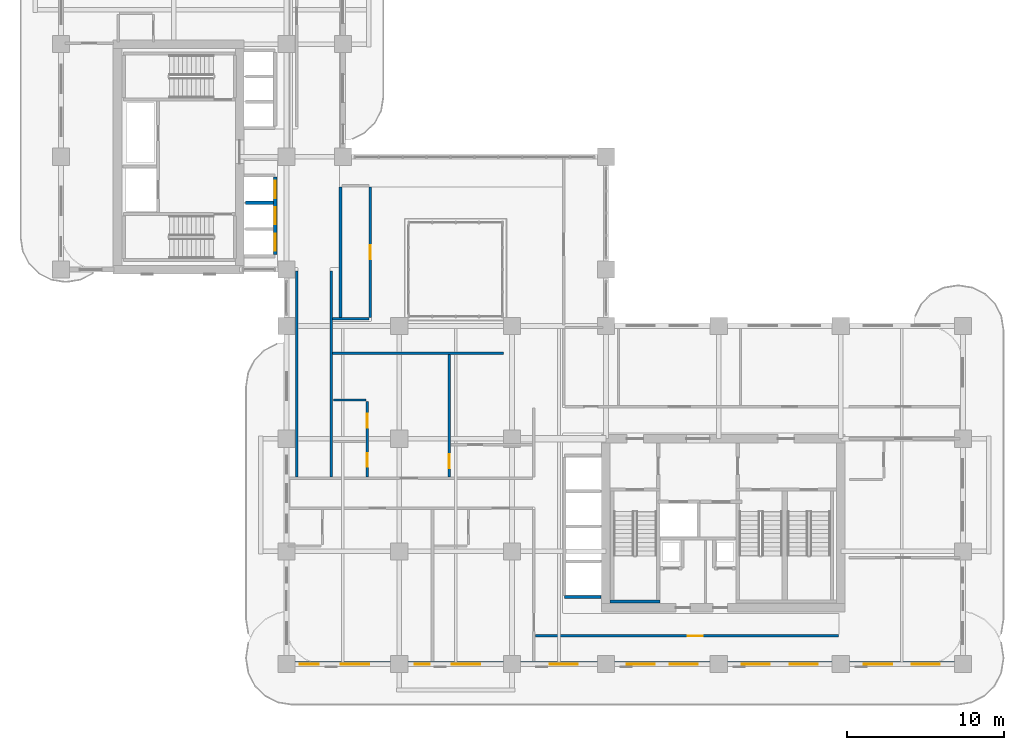
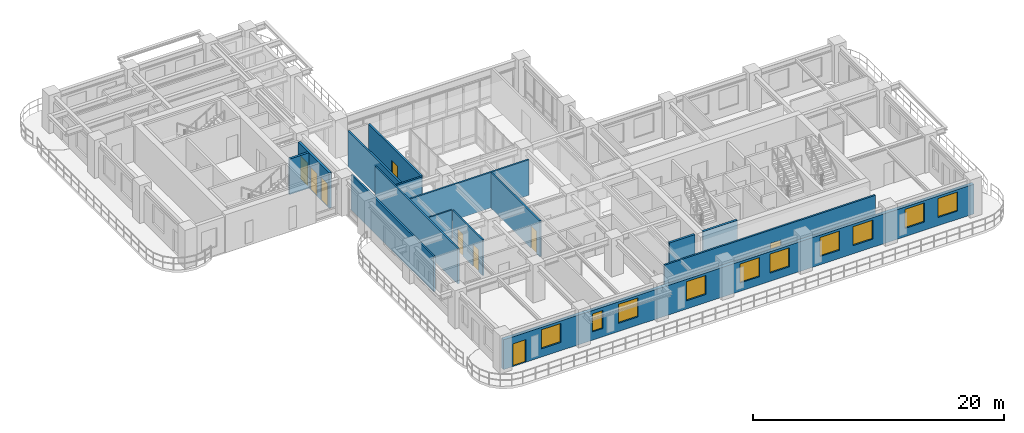
# One storey, part 13 of 22: 15 walls, 10 windows, 9 doors, 19 openings.
"""IFC4 building model written with IfcOpenShell, lengths in metres."""

from ifc_helpers import new_model, si_unit, derived_unit, direction, frame, frame_2d, origin, place, context, subcontext, project, spatial, rectangle, extrude, source, transform, mapped, material, layer, layer_set, type_object, type_shapes, element, fill, save


model = new_model("IFC4")

# Units and contexts
model_context = context("Model", 3, precision=1e-05, world=origin(), true_north=direction((0.0, 1.0)))
body_context = subcontext(model_context, "Body", "Model", "MODEL_VIEW")
ifc_project = project(units=[si_unit("LENGTHUNIT", "METRE"), si_unit("AREAUNIT", "SQUARE_METRE"), si_unit("VOLUMEUNIT", "CUBIC_METRE"), si_unit("PLANEANGLEUNIT", "RADIAN"), si_unit("MASSUNIT", "GRAM", prefix="KILO"), si_unit("THERMODYNAMICTEMPERATUREUNIT", "KELVIN"), si_unit("POWERUNIT", "WATT"), derived_unit("THERMALTRANSMITTANCEUNIT", [(si_unit("POWERUNIT", "WATT"), 1), (si_unit("AREAUNIT", "SQUARE_METRE"), -1), (si_unit("THERMODYNAMICTEMPERATUREUNIT", "KELVIN"), -1)])], contexts=[model_context])

# Site, building, storey
site_placement = place(None, origin())
site = spatial("IfcSite", under=ifc_project, at=site_placement, CompositionType="ELEMENT")
building_placement = place(site_placement, origin())
building = spatial("IfcBuilding", under=site, at=building_placement, Name="Zahravan Archway Hotel and Residences", CompositionType="ELEMENT")
storey_placement = place(building_placement, frame((0.0, 0.0, 84.199951171875)))
storey = spatial("IfcBuildingStorey", under=building, at=storey_placement, Name="L20", CompositionType="ELEMENT", Elevation=84.199951171875)

# Wall, openings, door, windows
ifc_material_1 = material(Name="Agra Buff Sandstone & Insulated Backup", Category="masonry")
ifc_layer_1 = layer(ifc_material_1, 0.320068359375, Name="Agra Buff Sandstone & Insulated Backup", Category="masonry")
ifc_layer_set_1 = layer_set([ifc_layer_1], Name="Agra Buff Sandstone & Insulated Backup")
wall_type_1 = type_object("IfcWallType", Name="EW-SAND-320", PredefinedType="SOLIDWALL", material=ifc_layer_set_1)
wall_1_placement = place(storey_placement, frame((14.39990234375, 0.0, 0.0), z_axis=(0.0, 0.0, 1.0), x_axis=(1.0, 0.0, 0.0)))
wall_1 = element("IfcWall", 1, at=wall_1_placement, inside=storey, type_object=wall_type_1, Name="L20 Exterior Sandstone Wall WA-S", PredefinedType="SOLIDWALL", context=body_context, shape_type="SweptSolid", body=[
    extrude(rectangle(XDim=43.2001953125, YDim=0.320068359375, at=frame_2d((21.60009765625, 0.0))), origin(), (0.0, 0.0, 1.0), 2.885009765625),
])
opening_1_placement = place(wall_1_placement, frame((0.85009765625, 0.0, 0.0)))
opening_1 = element("IfcOpeningElement", 2, at=opening_1_placement, cuts=wall_1, Name="Opening ED-BL1", PredefinedType="OPENING", context=body_context, shape_type="SweptSolid", body=[
    extrude(rectangle(XDim=1.199951171875, YDim=2.199951171875, at=frame_2d((0.60009765625, 1.10009765625))), frame((0.0, 0.169921875, 0.0), z_axis=(0.0, -1.0, 0.0), x_axis=(1.0, 0.0, 0.0)), (0.0, 0.0, 1.0), 0.340087890625),
])
opening_2_placement = place(wall_1_placement, frame((3.47509765625, 0.0, 0.800048828125)))
opening_2 = element("IfcOpeningElement", 3, at=opening_2_placement, cuts=wall_1, Name="Opening W-02", PredefinedType="OPENING", context=body_context, shape_type="SweptSolid", body=[
    extrude(rectangle(XDim=1.800048828125, YDim=1.85009765625, at=frame_2d((0.89990234375, 0.925048828125))), frame((0.0, 0.169921875, 0.0), z_axis=(0.0, -1.0, 0.0), x_axis=(1.0, 0.0, 0.0)), (0.0, 0.0, 1.0), 0.340087890625),
])
opening_3_placement = place(wall_1_placement, frame((8.180908203125, 0.0, 0.800048828125)))
opening_3 = element("IfcOpeningElement", 4, at=opening_3_placement, cuts=wall_1, Name="Opening W-04", PredefinedType="OPENING", context=body_context, shape_type="SweptSolid", body=[
    extrude(rectangle(XDim=0.949951171875, YDim=1.75, at=frame_2d((0.47509765625, 0.875))), frame((0.0, 0.169921875, 0.0), z_axis=(0.0, -1.0, 0.0), x_axis=(1.0, 0.0, 0.0)), (0.0, 0.0, 1.0), 0.340087890625),
])
opening_4_placement = place(wall_1_placement, frame((10.56396484375, 0.0, 0.800048828125)))
opening_4 = element("IfcOpeningElement", 5, at=opening_4_placement, cuts=wall_1, Name="Opening W-02", PredefinedType="OPENING", context=body_context, shape_type="SweptSolid", body=[
    extrude(rectangle(XDim=1.800048828125, YDim=1.85009765625, at=frame_2d((0.89990234375, 0.925048828125))), frame((0.0, 0.169921875, 0.0), z_axis=(0.0, -1.0, 0.0), x_axis=(1.0, 0.0, 0.0)), (0.0, 0.0, 1.0), 0.340087890625),
])
opening_5_placement = place(wall_1_placement, frame((16.803955078125, 0.0, 0.800048828125)))
opening_5 = element("IfcOpeningElement", 6, at=opening_5_placement, cuts=wall_1, Name="Opening W-02", PredefinedType="OPENING", context=body_context, shape_type="SweptSolid", body=[
    extrude(rectangle(XDim=1.800048828125, YDim=1.85009765625, at=frame_2d((0.89990234375, 0.925048828125))), frame((0.0, 0.169921875, 0.0), z_axis=(0.0, -1.0, 0.0), x_axis=(1.0, 0.0, 0.0)), (0.0, 0.0, 1.0), 0.340087890625),
])
opening_6_placement = place(wall_1_placement, frame((21.72509765625, 0.0, 0.800048828125)))
opening_6 = element("IfcOpeningElement", 7, at=opening_6_placement, cuts=wall_1, Name="Opening W-02", PredefinedType="OPENING", context=body_context, shape_type="SweptSolid", body=[
    extrude(rectangle(XDim=1.800048828125, YDim=1.85009765625, at=frame_2d((0.89990234375, 0.925048828125))), frame((0.0, 0.169921875, 0.0), z_axis=(0.0, -1.0, 0.0), x_axis=(1.0, 0.0, 0.0)), (0.0, 0.0, 1.0), 0.340087890625),
])
opening_7_placement = place(wall_1_placement, frame((24.47509765625, 0.0, 0.800048828125)))
opening_7 = element("IfcOpeningElement", 8, at=opening_7_placement, cuts=wall_1, Name="Opening W-02", PredefinedType="OPENING", context=body_context, shape_type="SweptSolid", body=[
    extrude(rectangle(XDim=1.800048828125, YDim=1.85009765625, at=frame_2d((0.89990234375, 0.925048828125))), frame((0.0, 0.169921875, 0.0), z_axis=(0.0, -1.0, 0.0), x_axis=(1.0, 0.0, 0.0)), (0.0, 0.0, 1.0), 0.340087890625),
])
opening_8_placement = place(wall_1_placement, frame((29.074951171875, 0.0, 0.800048828125)))
opening_8 = element("IfcOpeningElement", 9, at=opening_8_placement, cuts=wall_1, Name="Opening W-02", PredefinedType="OPENING", context=body_context, shape_type="SweptSolid", body=[
    extrude(rectangle(XDim=1.800048828125, YDim=1.85009765625, at=frame_2d((0.89990234375, 0.925048828125))), frame((0.0, 0.169921875, 0.0), z_axis=(0.0, -1.0, 0.0), x_axis=(1.0, 0.0, 0.0)), (0.0, 0.0, 1.0), 0.340087890625),
])
opening_9_placement = place(wall_1_placement, frame((32.125, 0.0, 0.800048828125)))
opening_9 = element("IfcOpeningElement", 10, at=opening_9_placement, cuts=wall_1, Name="Opening W-02", PredefinedType="OPENING", context=body_context, shape_type="SweptSolid", body=[
    extrude(rectangle(XDim=1.800048828125, YDim=1.85009765625, at=frame_2d((0.89990234375, 0.925048828125))), frame((0.0, 0.169921875, 0.0), z_axis=(0.0, -1.0, 0.0), x_axis=(1.0, 0.0, 0.0)), (0.0, 0.0, 1.0), 0.340087890625),
])
opening_10_placement = place(wall_1_placement, frame((36.875, 0.0, 0.800048828125)))
opening_10 = element("IfcOpeningElement", 11, at=opening_10_placement, cuts=wall_1, Name="Opening W-02", PredefinedType="OPENING", context=body_context, shape_type="SweptSolid", body=[
    extrude(rectangle(XDim=1.800048828125, YDim=1.85009765625, at=frame_2d((0.89990234375, 0.925048828125))), frame((0.0, 0.169921875, 0.0), z_axis=(0.0, -1.0, 0.0), x_axis=(1.0, 0.0, 0.0)), (0.0, 0.0, 1.0), 0.340087890625),
])
opening_11_placement = place(wall_1_placement, frame((39.925048828125, 0.0, 0.800048828125)))
opening_11 = element("IfcOpeningElement", 12, at=opening_11_placement, cuts=wall_1, Name="Opening W-02", PredefinedType="OPENING", context=body_context, shape_type="SweptSolid", body=[
    extrude(rectangle(XDim=1.800048828125, YDim=1.85009765625, at=frame_2d((0.89990234375, 0.925048828125))), frame((0.0, 0.169921875, 0.0), z_axis=(0.0, -1.0, 0.0), x_axis=(1.0, 0.0, 0.0)), (0.0, 0.0, 1.0), 0.340087890625),
])
ifc_material_2 = material(Name="Bronze-Anodized Glazed Aluminium", Category="aluminium")
door_type_1 = type_object("IfcDoorType", Name="ED-BALC-1200", OperationType="SLIDING_TO_LEFT", PredefinedType="DOOR", material=ifc_material_2)
shared_shape_1 = source(origin(), body_context, "Body", "SweptSolid", [
    extrude(rectangle(XDim=1.199951171875, YDim=2.199951171875, at=frame_2d((0.60009765625, 1.10009765625))), frame((0.0, 0.02490234375, 0.0), z_axis=(0.0, -1.0, 0.0), x_axis=(1.0, 0.0, 0.0)), (0.0, 0.0, 1.0), 0.050048828125),
])
type_shapes(door_type_1, [shared_shape_1])
door_1_placement = place(opening_1_placement, origin())
door_1 = element("IfcDoor", 13, at=door_1_placement, inside=storey, type_object=door_type_1, Name="L20 Outdoor Access Sliding Door (SLB-BAL-L20-SA)", OperationType="SLIDING_TO_LEFT", OverallHeight=2.199951171875, OverallWidth=1.199951171875, PredefinedType="DOOR", context=body_context, shape_type="MappedRepresentation", body=[
    mapped(shared_shape_1, transform((0.0, 0.0, 0.0), scale=1.0)),
])
fill(opening_1, door_1)
ifc_material_3 = material(Name="Bronze-Anodized Thermal-Break Aluminium & Low-E Glass", Category="aluminium")
window_type_1 = type_object("IfcWindowType", Name="WIN-NAR-950", PartitioningType="SINGLE_PANEL", PredefinedType="WINDOW", material=ifc_material_3)
shared_shape_2 = source(origin(), body_context, "Body", "SweptSolid", [
    extrude(rectangle(XDim=0.949951171875, YDim=1.75, at=frame_2d((0.47509765625, 0.875))), frame((0.0, 0.030029296875, 0.0), z_axis=(0.0, -1.0, 0.0), x_axis=(1.0, 0.0, 0.0)), (0.0, 0.0, 1.0), 0.06005859375),
])
type_shapes(window_type_1, [shared_shape_2])
window_1_placement = place(opening_3_placement, origin())
window_1 = element("IfcWindow", 14, at=window_1_placement, inside=storey, type_object=window_type_1, Name="L20 Loggia Window 02", OverallHeight=1.75, OverallWidth=0.949951171875, PartitioningType="SINGLE_PANEL", PredefinedType="WINDOW", context=body_context, shape_type="MappedRepresentation", body=[
    mapped(shared_shape_2, transform((0.0, 0.0, 0.0), scale=1.0)),
])
fill(opening_3, window_1)
window_type_2 = type_object("IfcWindowType", Name="WIN-TWR-1800", PartitioningType="DOUBLE_PANEL_VERTICAL", PredefinedType="WINDOW", material=ifc_material_3)
shared_shape_3 = source(origin(), body_context, "Body", "SweptSolid", [
    extrude(rectangle(XDim=1.800048828125, YDim=1.85009765625, at=frame_2d((0.89990234375, 0.925048828125))), frame((0.0, 0.030029296875, 0.0), z_axis=(0.0, -1.0, 0.0), x_axis=(1.0, 0.0, 0.0)), (0.0, 0.0, 1.0), 0.06005859375),
])
type_shapes(window_type_2, [shared_shape_3])
window_2_placement = place(opening_2_placement, origin())
window_2 = element("IfcWindow", 15, at=window_2_placement, inside=storey, type_object=window_type_2, Name="L20 Loggia Window 01", OverallHeight=1.85009765625, OverallWidth=1.800048828125, PartitioningType="DOUBLE_PANEL_VERTICAL", PredefinedType="WINDOW", context=body_context, shape_type="MappedRepresentation", body=[
    mapped(shared_shape_3, transform((0.0, 0.0, 0.0), scale=1.0)),
])
fill(opening_2, window_2)
window_3_placement = place(opening_4_placement, origin())
window_3 = element("IfcWindow", 16, at=window_3_placement, inside=storey, type_object=window_type_2, Name="L20 Loggia Window 03", OverallHeight=1.85009765625, OverallWidth=1.800048828125, PartitioningType="DOUBLE_PANEL_VERTICAL", PredefinedType="WINDOW", context=body_context, shape_type="MappedRepresentation", body=[
    mapped(shared_shape_3, transform((0.0, 0.0, 0.0), scale=1.0)),
])
fill(opening_4, window_3)
window_4_placement = place(opening_5_placement, origin())
window_4 = element("IfcWindow", 17, at=window_4_placement, inside=storey, type_object=window_type_2, Name="L20 Loggia Window 04", OverallHeight=1.85009765625, OverallWidth=1.800048828125, PartitioningType="DOUBLE_PANEL_VERTICAL", PredefinedType="WINDOW", context=body_context, shape_type="MappedRepresentation", body=[
    mapped(shared_shape_3, transform((0.0, 0.0, 0.0), scale=1.0)),
])
fill(opening_5, window_4)
window_5_placement = place(opening_6_placement, origin())
window_5 = element("IfcWindow", 18, at=window_5_placement, inside=storey, type_object=window_type_2, Name="L20 Loggia Window 05", OverallHeight=1.85009765625, OverallWidth=1.800048828125, PartitioningType="DOUBLE_PANEL_VERTICAL", PredefinedType="WINDOW", context=body_context, shape_type="MappedRepresentation", body=[
    mapped(shared_shape_3, transform((0.0, 0.0, 0.0), scale=1.0)),
])
fill(opening_6, window_5)
window_6_placement = place(opening_7_placement, origin())
window_6 = element("IfcWindow", 19, at=window_6_placement, inside=storey, type_object=window_type_2, Name="L20 Loggia Window 06", OverallHeight=1.85009765625, OverallWidth=1.800048828125, PartitioningType="DOUBLE_PANEL_VERTICAL", PredefinedType="WINDOW", context=body_context, shape_type="MappedRepresentation", body=[
    mapped(shared_shape_3, transform((0.0, 0.0, 0.0), scale=1.0)),
])
fill(opening_7, window_6)
window_7_placement = place(opening_8_placement, origin())
window_7 = element("IfcWindow", 20, at=window_7_placement, inside=storey, type_object=window_type_2, Name="L20 Loggia Window 07", OverallHeight=1.85009765625, OverallWidth=1.800048828125, PartitioningType="DOUBLE_PANEL_VERTICAL", PredefinedType="WINDOW", context=body_context, shape_type="MappedRepresentation", body=[
    mapped(shared_shape_3, transform((0.0, 0.0, 0.0), scale=1.0)),
])
fill(opening_8, window_7)
window_8_placement = place(opening_9_placement, origin())
window_8 = element("IfcWindow", 21, at=window_8_placement, inside=storey, type_object=window_type_2, Name="L20 Loggia Window 08", OverallHeight=1.85009765625, OverallWidth=1.800048828125, PartitioningType="DOUBLE_PANEL_VERTICAL", PredefinedType="WINDOW", context=body_context, shape_type="MappedRepresentation", body=[
    mapped(shared_shape_3, transform((0.0, 0.0, 0.0), scale=1.0)),
])
fill(opening_9, window_8)
window_9_placement = place(opening_10_placement, origin())
window_9 = element("IfcWindow", 22, at=window_9_placement, inside=storey, type_object=window_type_2, Name="L20 Loggia Window 09", OverallHeight=1.85009765625, OverallWidth=1.800048828125, PartitioningType="DOUBLE_PANEL_VERTICAL", PredefinedType="WINDOW", context=body_context, shape_type="MappedRepresentation", body=[
    mapped(shared_shape_3, transform((0.0, 0.0, 0.0), scale=1.0)),
])
fill(opening_10, window_9)
window_10_placement = place(opening_11_placement, origin())
window_10 = element("IfcWindow", 23, at=window_10_placement, inside=storey, type_object=window_type_2, Name="L20 Loggia Window 10", OverallHeight=1.85009765625, OverallWidth=1.800048828125, PartitioningType="DOUBLE_PANEL_VERTICAL", PredefinedType="WINDOW", context=body_context, shape_type="MappedRepresentation", body=[
    mapped(shared_shape_3, transform((0.0, 0.0, 0.0), scale=1.0)),
])
fill(opening_11, window_10)

# Wall, opening, door
ifc_material_4 = material(Name="Fire-Rated Gypsum & Concrete Block", Category="concrete")
ifc_layer_2 = layer(ifc_material_4, 0.159912109375, Name="Fire-Rated Gypsum & Concrete Block", Category="concrete")
ifc_layer_set_2 = layer_set([ifc_layer_2], Name="Fire-Rated Gypsum & Concrete Block")
wall_type_2 = type_object("IfcWallType", Name="PW-CORR-160", PredefinedType="PARTITIONING", material=ifc_layer_set_2)
wall_2_placement = place(storey_placement, frame((30.2900390625, 1.800048828125, 0.0), z_axis=(0.0, 0.0, 1.0), x_axis=(1.0, 0.0, 0.0)))
wall_2 = element("IfcWall", 24, at=wall_2_placement, inside=storey, type_object=wall_type_2, Name="L20 Partition WA-SRS", PredefinedType="PARTITIONING", context=body_context, shape_type="SweptSolid", body=[
    extrude(rectangle(XDim=19.369873046875, YDim=0.159912109375, at=frame_2d((9.68505859375, 0.0))), origin(), (0.0, 0.0, 1.0), 3.449951171875),
])
opening_12_placement = place(wall_2_placement, frame((9.735107421875, 0.0, 0.0)))
opening_12 = element("IfcOpeningElement", 25, at=opening_12_placement, cuts=wall_2, Name="Opening D-I1", PredefinedType="OPENING", context=body_context, shape_type="SweptSolid", body=[
    extrude(rectangle(XDim=0.949951171875, YDim=2.14990234375, at=frame_2d((0.47509765625, 1.074951171875))), frame((0.0, 0.08984375, 0.0), z_axis=(0.0, -1.0, 0.0), x_axis=(1.0, 0.0, 0.0)), (0.0, 0.0, 1.0), 0.179931640625),
])
ifc_material_5 = material(Name="Hardwood Veneer Timber", Category="wood")
door_type_2 = type_object("IfcDoorType", Name="ID-INT-950", OperationType="NOTDEFINED", PredefinedType="DOOR", material=ifc_material_5)
shared_shape_4 = source(origin(), body_context, "Body", "SweptSolid", [
    extrude(rectangle(XDim=0.949951171875, YDim=2.14990234375, at=frame_2d((0.47509765625, 1.074951171875))), frame((0.0, 0.02490234375, 0.0), z_axis=(0.0, -1.0, 0.0), x_axis=(1.0, 0.0, 0.0)), (0.0, 0.0, 1.0), 0.050048828125),
])
type_shapes(door_type_2, [shared_shape_4])
door_2_placement = place(opening_12_placement, origin())
door_2 = element("IfcDoor", 26, at=door_2_placement, inside=storey, type_object=door_type_2, Name="L20 South Viewing Lounge Door", OperationType="SINGLE_SWING_LEFT", OverallHeight=2.14990234375, OverallWidth=0.949951171875, PredefinedType="DOOR", context=body_context, shape_type="MappedRepresentation", body=[
    mapped(shared_shape_4, transform((0.0, 0.0, 0.0), scale=1.0)),
])
fill(opening_12, door_2)

# Walls
for number, where, z_axis, x_axis, name in (
    (27, (15.050048828125, 11.9599609375, 0.0), (0.0, 0.0, 1.0), (0.0, 1.0, 0.0), "L20 Partition LNK-W"),
    (28, (17.25, 11.9599609375, 0.0), (0.0, 0.0, 1.0), (0.0, 1.0, 0.0), "L20 Partition LNK-E"),
):
    element("IfcWall", number, at=place(storey_placement, frame(where, z_axis=z_axis, x_axis=x_axis)), inside=storey, type_object=wall_type_2, Name=name, PredefinedType="PARTITIONING", context=body_context, shape_type="SweptSolid", body=[
        extrude(rectangle(XDim=13.150146484375, YDim=0.159912109375, at=frame_2d((6.5751953125, 0.0))), origin(), (0.0, 0.0, 1.0), 3.449951171875),
    ])
wall_3_placement = place(storey_placement, frame((17.340087890625, 19.85009765625, 0.0), z_axis=(0.0, 0.0, 1.0), x_axis=(1.0, 0.0, 0.0)))
element("IfcWall", 29, at=wall_3_placement, inside=storey, type_object=wall_type_2, Name="L20 Partition ATR-S", PredefinedType="PARTITIONING", context=body_context, shape_type="SweptSolid", body=[
    extrude(rectangle(XDim=10.919921875, YDim=0.159912109375, at=frame_2d((5.4599609375, 0.0))), origin(), (0.0, 0.0, 1.0), 3.449951171875),
])
ifc_layer_3 = layer(ifc_material_4, 0.199951171875, Name="Fire-Rated Gypsum & Concrete Block", Category="concrete")
ifc_layer_set_3 = layer_set([ifc_layer_3], Name="Fire-Rated Gypsum & Concrete Block")
wall_type_3 = type_object("IfcWallType", Name="PW-SHAFT-200", PredefinedType="PARTITIONING", material=ifc_layer_set_3)
wall_4_placement = place(storey_placement, frame((32.159912109375, 4.280029296875, 0.0), z_axis=(0.0, 0.0, 1.0), x_axis=(1.0, 0.0, 0.0)))
element("IfcWall", 30, at=wall_4_placement, inside=storey, type_object=wall_type_3, Name="L20 Partition B3-S", PredefinedType="PARTITIONING", context=body_context, shape_type="SweptSolid", body=[
    extrude(rectangle(XDim=2.335205078125, YDim=0.199951171875, at=frame_2d((1.16748046875, 0.0))), origin(), (0.0, 0.0, 1.0), 3.449951171875),
])

# Wall, openings, doors
wall_5_placement = place(storey_placement, frame((13.679931640625, 26.159912109375, 0.0), z_axis=(0.0, 0.0, 1.0), x_axis=(0.0, 1.0, 0.0)))
wall_5 = element("IfcWall", 31, at=wall_5_placement, inside=storey, type_object=wall_type_3, Name="L20 Partition B1-E", PredefinedType="PARTITIONING", context=body_context, shape_type="SweptSolid", body=[
    extrude(rectangle(XDim=4.940185546875, YDim=0.199951171875, at=frame_2d((2.47021484375, 0.0))), origin(), (0.0, 0.0, 1.0), 3.449951171875),
])
opening_13_placement = place(wall_5_placement, frame((0.239990234375, 0.0, 0.0)))
opening_13 = element("IfcOpeningElement", 32, at=opening_13_placement, cuts=wall_5, Name="Opening LD", PredefinedType="OPENING", context=body_context, shape_type="SweptSolid", body=[
    extrude(rectangle(XDim=1.10009765625, YDim=2.199951171875, at=frame_2d((0.550048828125, 1.10009765625))), frame((0.0, 0.10986328125, 0.0), z_axis=(0.0, -1.0, 0.0), x_axis=(1.0, 0.0, 0.0)), (0.0, 0.0, 1.0), 0.219970703125),
])
opening_14_placement = place(wall_5_placement, frame((1.919921875, 0.0, 0.0)))
opening_14 = element("IfcOpeningElement", 33, at=opening_14_placement, cuts=wall_5, Name="Opening LD", PredefinedType="OPENING", context=body_context, shape_type="SweptSolid", body=[
    extrude(rectangle(XDim=1.10009765625, YDim=2.199951171875, at=frame_2d((0.550048828125, 1.10009765625))), frame((0.0, 0.10986328125, 0.0), z_axis=(0.0, -1.0, 0.0), x_axis=(1.0, 0.0, 0.0)), (0.0, 0.0, 1.0), 0.219970703125),
])
opening_15_placement = place(wall_5_placement, frame((3.60009765625, 0.0, 0.0)))
opening_15 = element("IfcOpeningElement", 34, at=opening_15_placement, cuts=wall_5, Name="Opening LD", PredefinedType="OPENING", context=body_context, shape_type="SweptSolid", body=[
    extrude(rectangle(XDim=1.10009765625, YDim=2.199951171875, at=frame_2d((0.550048828125, 1.10009765625))), frame((0.0, 0.10986328125, 0.0), z_axis=(0.0, -1.0, 0.0), x_axis=(1.0, 0.0, 0.0)), (0.0, 0.0, 1.0), 0.219970703125),
])
ifc_material_6 = material(Name="Brushed Stainless Steel", Category="steel")
door_type_3 = type_object("IfcDoorType", Name="DR-LIFT-LD", OperationType="SLIDING_TO_LEFT", PredefinedType="DOOR", material=ifc_material_6)
shared_shape_5 = source(origin(), body_context, "Body", "SweptSolid", [
    extrude(rectangle(XDim=1.10009765625, YDim=2.199951171875, at=frame_2d((0.550048828125, 1.10009765625))), frame((0.0, 0.02490234375, 0.0), z_axis=(0.0, -1.0, 0.0), x_axis=(1.0, 0.0, 0.0)), (0.0, 0.0, 1.0), 0.050048828125),
])
type_shapes(door_type_3, [shared_shape_5])
door_3_placement = place(opening_13_placement, origin())
door_3 = element("IfcDoor", 35, at=door_3_placement, inside=storey, type_object=door_type_3, Name="L20 Lift LP-1 Sliding Landing Door", OperationType="SLIDING_TO_LEFT", OverallHeight=2.199951171875, OverallWidth=1.10009765625, PredefinedType="DOOR", context=body_context, shape_type="MappedRepresentation", body=[
    mapped(shared_shape_5, transform((0.0, 0.0, 0.0), scale=1.0)),
])
fill(opening_13, door_3)
door_4_placement = place(opening_14_placement, origin())
door_4 = element("IfcDoor", 36, at=door_4_placement, inside=storey, type_object=door_type_3, Name="L20 Lift LP-2 Sliding Landing Door", OperationType="SLIDING_TO_LEFT", OverallHeight=2.199951171875, OverallWidth=1.10009765625, PredefinedType="DOOR", context=body_context, shape_type="MappedRepresentation", body=[
    mapped(shared_shape_5, transform((0.0, 0.0, 0.0), scale=1.0)),
])
fill(opening_14, door_4)
door_5_placement = place(opening_15_placement, origin())
door_5 = element("IfcDoor", 37, at=door_5_placement, inside=storey, type_object=door_type_3, Name="L20 Lift LP-3 Sliding Landing Door", OperationType="SLIDING_TO_LEFT", OverallHeight=2.199951171875, OverallWidth=1.10009765625, PredefinedType="DOOR", context=body_context, shape_type="MappedRepresentation", body=[
    mapped(shared_shape_5, transform((0.0, 0.0, 0.0), scale=1.0)),
])
fill(opening_15, door_5)

# Wall
wall_6_placement = place(storey_placement, frame((11.784912109375, 29.469970703125, 0.0), z_axis=(0.0, 0.0, 1.0), x_axis=(1.0, 0.0, 0.0)))
element("IfcWall", 38, at=wall_6_placement, inside=storey, type_object=wall_type_3, Name="L20 Partition B1-D", PredefinedType="PARTITIONING", context=body_context, shape_type="SweptSolid", body=[
    extrude(rectangle(XDim=1.78515625, YDim=0.199951171875, at=frame_2d((0.892578125, 0.0))), origin(), (0.0, 0.0, 1.0), 3.449951171875),
])

# Wall, opening, door
ifc_material_7 = material(Name="Acoustic Stud Partition")
ifc_layer_4 = layer(ifc_material_7, 0.14990234375, Name="Acoustic Stud Partition")
ifc_layer_set_4 = layer_set([ifc_layer_4], Name="Acoustic Stud Partition")
wall_type_4 = type_object("IfcWallType", Name="PW-UNIT-150", PredefinedType="PARTITIONING", material=ifc_layer_set_4)
wall_7_placement = place(storey_placement, frame((24.800048828125, 11.9599609375, 0.0), z_axis=(0.0, 0.0, 1.0), x_axis=(0.0, 1.0, 0.0)))
wall_7 = element("IfcWall", 39, at=wall_7_placement, inside=storey, type_object=wall_type_4, Name="L20 Partition FL-AT1-SP", PredefinedType="PARTITIONING", context=body_context, shape_type="SweptSolid", body=[
    extrude(rectangle(XDim=7.800048828125, YDim=0.14990234375, at=frame_2d((3.89990234375, 0.0))), origin(), (0.0, 0.0, 1.0), 3.449951171875),
])
opening_16_placement = place(wall_7_placement, frame((0.534912109375, 0.0, 0.0)))
opening_16 = element("IfcOpeningElement", 40, at=opening_16_placement, cuts=wall_7, Name="Opening D-I2", PredefinedType="OPENING", context=body_context, shape_type="SweptSolid", body=[
    extrude(rectangle(XDim=0.89990234375, YDim=2.14990234375, at=frame_2d((0.449951171875, 1.074951171875))), frame((0.0, 0.0849609375, 0.0), z_axis=(0.0, -1.0, 0.0), x_axis=(1.0, 0.0, 0.0)), (0.0, 0.0, 1.0), 0.169921875),
])
door_type_4 = type_object("IfcDoorType", Name="ID-INT-900", OperationType="NOTDEFINED", PredefinedType="DOOR", material=ifc_material_5)
shared_shape_6 = source(origin(), body_context, "Body", "SweptSolid", [
    extrude(rectangle(XDim=0.89990234375, YDim=2.14990234375, at=frame_2d((0.449951171875, 1.074951171875))), frame((0.0, 0.02490234375, 0.0), z_axis=(0.0, -1.0, 0.0), x_axis=(1.0, 0.0, 0.0)), (0.0, 0.0, 1.0), 0.050048828125),
])
type_shapes(door_type_4, [shared_shape_6])
door_6_placement = place(opening_16_placement, origin())
door_6 = element("IfcDoor", 41, at=door_6_placement, inside=storey, type_object=door_type_4, Name="L20 Flat AT1 Bedroom Hall Door", OperationType="SINGLE_SWING_LEFT", OverallHeight=2.14990234375, OverallWidth=0.89990234375, PredefinedType="DOOR", context=body_context, shape_type="MappedRepresentation", body=[
    mapped(shared_shape_6, transform((0.0, 0.0, 0.0), scale=1.0)),
])
fill(opening_16, door_6)

# Walls
ifc_layer_5 = layer(ifc_material_7, 0.169921875, Name="Acoustic Stud Partition")
ifc_layer_set_5 = layer_set([ifc_layer_5], Name="Acoustic Stud Partition")
wall_type_5 = type_object("IfcWallType", Name="PW-UNIT-170", PredefinedType="PARTITIONING", material=ifc_layer_set_5)
wall_8_placement = place(storey_placement, frame((17.340087890625, 22.050048828125, 0.0), z_axis=(0.0, 0.0, 1.0), x_axis=(1.0, 0.0, 0.0)))
element("IfcWall", 42, at=wall_8_placement, inside=storey, type_object=wall_type_5, Name="L20 Partition ATR-WLS", PredefinedType="PARTITIONING", context=body_context, shape_type="SweptSolid", body=[
    extrude(rectangle(XDim=2.31982421875, YDim=0.169921875, at=frame_2d((1.159912109375, 0.0))), origin(), (0.0, 0.0, 1.0), 3.449951171875),
])
wall_9_placement = place(storey_placement, frame((17.85009765625, 22.139892578125, 0.0), z_axis=(0.0, 0.0, 1.0), x_axis=(0.0, 1.0, 0.0)))
element("IfcWall", 43, at=wall_9_placement, inside=storey, type_object=wall_type_5, Name="L20 Partition ATR-WLW", PredefinedType="PARTITIONING", context=body_context, shape_type="SweptSolid", body=[
    extrude(rectangle(XDim=8.320068359375, YDim=0.169921875, at=frame_2d((4.16015625, 0.0))), origin(), (0.0, 0.0, 1.0), 3.449951171875),
])

# Wall, opening, door
wall_10_placement = place(storey_placement, frame((19.75, 22.139892578125, 0.0), z_axis=(0.0, 0.0, 1.0), x_axis=(0.0, 1.0, 0.0)))
wall_10 = element("IfcWall", 44, at=wall_10_placement, inside=storey, type_object=wall_type_5, Name="L20 Partition ATR-WL", PredefinedType="PARTITIONING", context=body_context, shape_type="SweptSolid", body=[
    extrude(rectangle(XDim=8.320068359375, YDim=0.169921875, at=frame_2d((4.16015625, 0.0))), origin(), (0.0, 0.0, 1.0), 3.449951171875),
])
opening_17_placement = place(wall_10_placement, frame((3.7099609375, 0.0, 0.0)))
opening_17 = element("IfcOpeningElement", 45, at=opening_17_placement, cuts=wall_10, Name="Opening D-I2", PredefinedType="OPENING", context=body_context, shape_type="SweptSolid", body=[
    extrude(rectangle(XDim=0.89990234375, YDim=2.14990234375, at=frame_2d((0.449951171875, 1.074951171875))), frame((0.0, 0.094970703125, 0.0), z_axis=(0.0, -1.0, 0.0), x_axis=(1.0, 0.0, 0.0)), (0.0, 0.0, 1.0), 0.18994140625),
])
door_7_placement = place(opening_17_placement, origin())
door_7 = element("IfcDoor", 46, at=door_7_placement, inside=storey, type_object=door_type_4, Name="L20 Atrium West Alcove Door", OperationType="SINGLE_SWING_LEFT", OverallHeight=2.14990234375, OverallWidth=0.89990234375, PredefinedType="DOOR", context=body_context, shape_type="MappedRepresentation", body=[
    mapped(shared_shape_6, transform((0.0, 0.0, 0.0), scale=1.0)),
])
fill(opening_17, door_7)

# Wall, openings, doors
ifc_material_8 = material(Name="Moisture-Resistant Blockwork", Category="masonry")
ifc_layer_6 = layer(ifc_material_8, 0.139892578125, Name="Moisture-Resistant Blockwork", Category="masonry")
ifc_layer_set_6 = layer_set([ifc_layer_6], Name="Moisture-Resistant Blockwork")
wall_type_6 = type_object("IfcWallType", Name="PW-WET-140", PredefinedType="PARTITIONING", material=ifc_layer_set_6)
wall_11_placement = place(storey_placement, frame((19.550048828125, 11.9599609375, 0.0), z_axis=(0.0, 0.0, 1.0), x_axis=(0.0, 1.0, 0.0)))
wall_11 = element("IfcWall", 47, at=wall_11_placement, inside=storey, type_object=wall_type_6, Name="L20 Partition FL-AT1-BV", PredefinedType="PARTITIONING", context=body_context, shape_type="SweptSolid", body=[
    extrude(rectangle(XDim=4.820068359375, YDim=0.139892578125, at=frame_2d((2.41015625, 0.0))), origin(), (0.0, 0.0, 1.0), 3.449951171875),
])
opening_18_placement = place(wall_11_placement, frame((0.659912109375, 0.0, 0.0)))
opening_18 = element("IfcOpeningElement", 48, at=opening_18_placement, cuts=wall_11, Name="Opening D-B1", PredefinedType="OPENING", context=body_context, shape_type="SweptSolid", body=[
    extrude(rectangle(XDim=0.85009765625, YDim=2.10009765625, at=frame_2d((0.425048828125, 1.050048828125))), frame((0.0, 0.080078125, 0.0), z_axis=(0.0, -1.0, 0.0), x_axis=(1.0, 0.0, 0.0)), (0.0, 0.0, 1.0), 0.159912109375),
])
opening_19_placement = place(wall_11_placement, frame((3.135009765625, 0.0, 0.0)))
opening_19 = element("IfcOpeningElement", 49, at=opening_19_placement, cuts=wall_11, Name="Opening D-I2", PredefinedType="OPENING", context=body_context, shape_type="SweptSolid", body=[
    extrude(rectangle(XDim=0.89990234375, YDim=2.14990234375, at=frame_2d((0.449951171875, 1.074951171875))), frame((0.0, 0.080078125, 0.0), z_axis=(0.0, -1.0, 0.0), x_axis=(1.0, 0.0, 0.0)), (0.0, 0.0, 1.0), 0.159912109375),
])
door_type_5 = type_object("IfcDoorType", Name="ID-BATH-850", OperationType="NOTDEFINED", PredefinedType="DOOR", material=ifc_material_5)
shared_shape_7 = source(origin(), body_context, "Body", "SweptSolid", [
    extrude(rectangle(XDim=0.85009765625, YDim=2.10009765625, at=frame_2d((0.425048828125, 1.050048828125))), frame((0.0, 0.02490234375, 0.0), z_axis=(0.0, -1.0, 0.0), x_axis=(1.0, 0.0, 0.0)), (0.0, 0.0, 1.0), 0.050048828125),
])
type_shapes(door_type_5, [shared_shape_7])
door_8_placement = place(opening_18_placement, origin())
door_8 = element("IfcDoor", 50, at=door_8_placement, inside=storey, type_object=door_type_5, Name="L20 Flat AT1 Bathroom Door", OperationType="SINGLE_SWING_RIGHT", OverallHeight=2.10009765625, OverallWidth=0.85009765625, PredefinedType="DOOR", context=body_context, shape_type="MappedRepresentation", body=[
    mapped(shared_shape_7, transform((0.0, 0.0, 0.0), scale=1.0)),
])
fill(opening_18, door_8)
door_9_placement = place(opening_19_placement, origin())
door_9 = element("IfcDoor", 51, at=door_9_placement, inside=storey, type_object=door_type_4, Name="L20 Flat AT1 Kitchen Door", OperationType="SINGLE_SWING_LEFT", OverallHeight=2.14990234375, OverallWidth=0.89990234375, PredefinedType="DOOR", context=body_context, shape_type="MappedRepresentation", body=[
    mapped(shared_shape_6, transform((0.0, 0.0, 0.0), scale=1.0)),
])
fill(opening_19, door_9)

# Walls
wall_12_placement = place(storey_placement, frame((17.389892578125, 16.8701171875, 0.0), z_axis=(0.0, 0.0, 1.0), x_axis=(1.0, 0.0, 0.0)))
element("IfcWall", 52, at=wall_12_placement, inside=storey, type_object=wall_type_6, Name="L20 Partition FL-AT1-KH", PredefinedType="PARTITIONING", context=body_context, shape_type="SweptSolid", body=[
    extrude(rectangle(XDim=2.070068359375, YDim=0.139892578125, at=frame_2d((1.03515625, 0.0))), origin(), (0.0, 0.0, 1.0), 3.449951171875),
])
ifc_material_9 = material(Name="Concrete C50/60", Category="concrete")
ifc_layer_7 = layer(ifc_material_9, 0.199951171875, Name="Concrete C50/60", Category="concrete")
ifc_layer_set_7 = layer_set([ifc_layer_7], Name="Concrete C50/60")
wall_type_7 = type_object("IfcWallType", Name="SW-STAIR-200", PredefinedType="SHEAR", material=ifc_layer_set_7)
wall_13_placement = place(storey_placement, frame((35.074951171875, 4.0, 0.0), z_axis=(0.0, 0.0, 1.0), x_axis=(1.0, 0.0, 0.0)))
element("IfcWall", 53, at=wall_13_placement, inside=storey, type_object=wall_type_7, Name="L20 Stairwell RC Wall CA-SA1S", PredefinedType="SHEAR", context=body_context, shape_type="SweptSolid", body=[
    extrude(rectangle(XDim=3.1650390625, YDim=0.199951171875, at=frame_2d((1.58251953125, 0.0))), origin(), (0.0, 0.0, 1.0), 3.699951171875),
])

save(model, "model.ifc")
